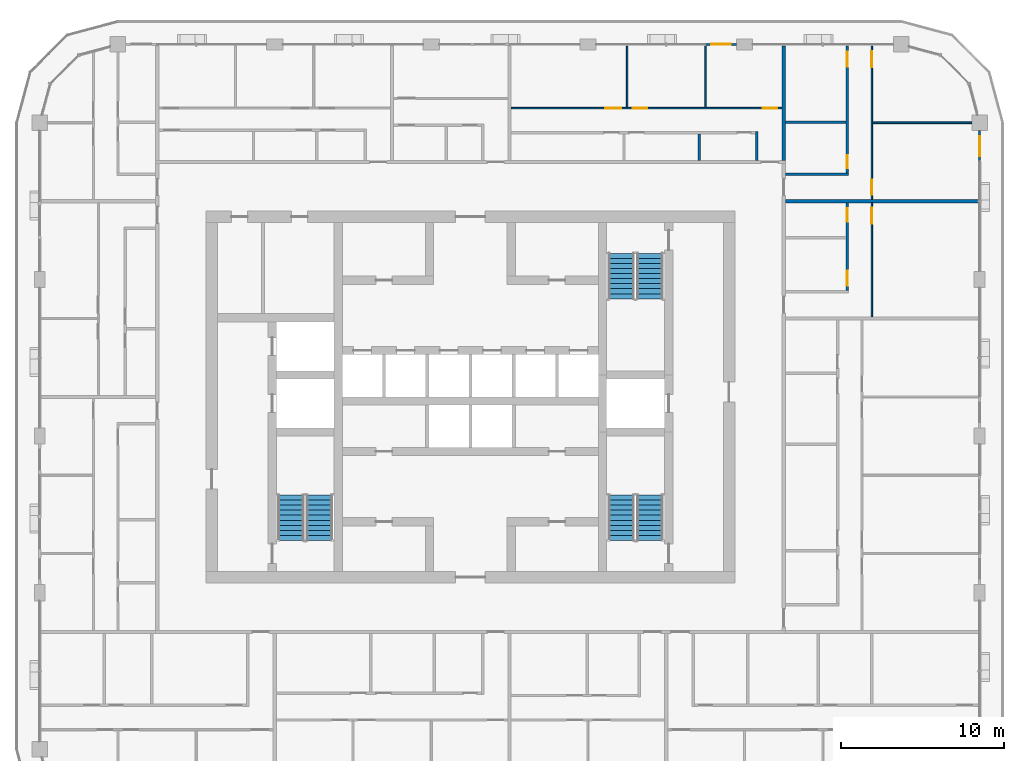
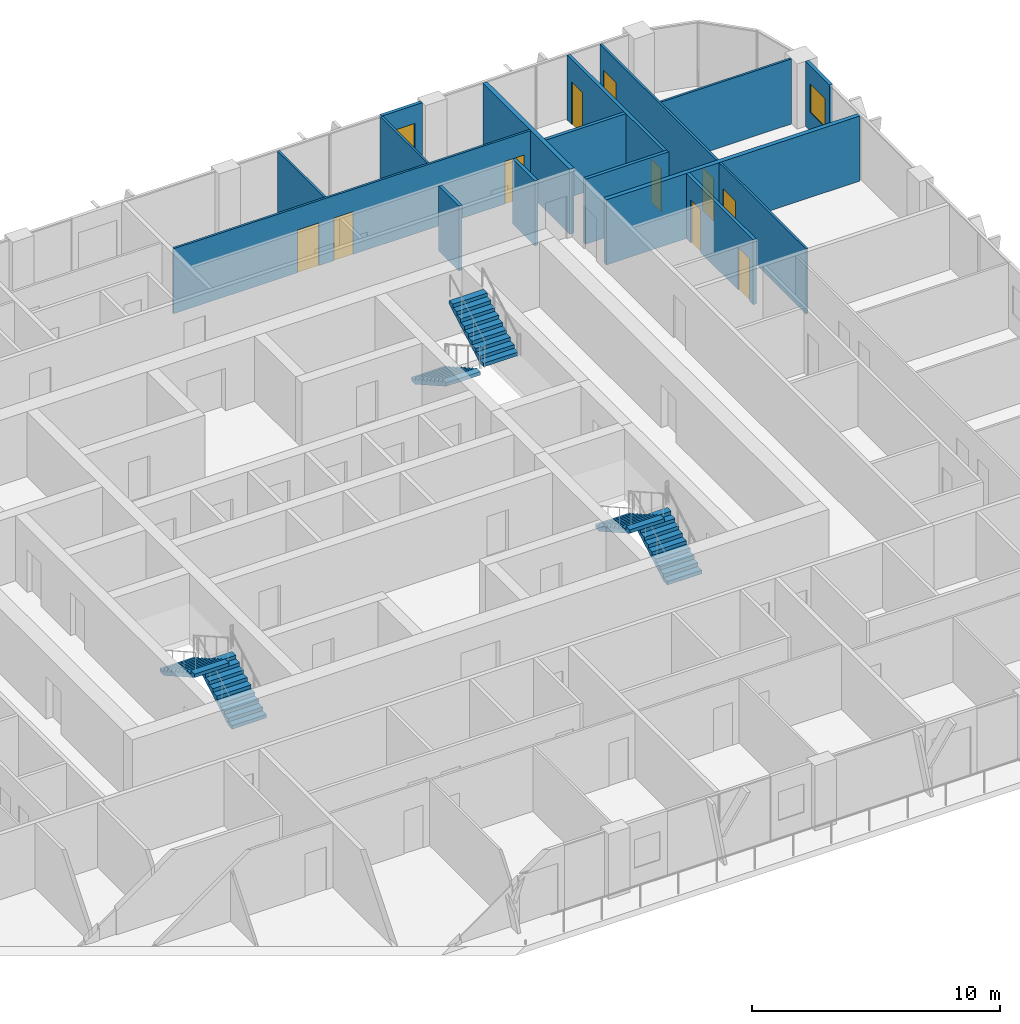
# One storey, part 15 of 21: 16 walls, 10 doors, 6 stair flights, 2 windows, 12 openings, 3 elements without a shape of their own.
"""IFC4 building model written with IfcOpenShell, lengths in metres."""

from ifc_helpers import new_model, si_unit, direction, frame, frame_2d, origin, place, context, subcontext, project, spatial, polyline, rectangle, outline, extrude, material, layer, layer_set, type_object, element, fill, aggregate, save


model = new_model("IFC4")

# Units and contexts
model_context = context("Model", 3, precision=1e-05, world=origin(), true_north=direction((0.0, 1.0)))
body_context = subcontext(model_context, "Body", "Model", "MODEL_VIEW")
ifc_project = project(units=[si_unit("LENGTHUNIT", "METRE"), si_unit("AREAUNIT", "SQUARE_METRE"), si_unit("VOLUMEUNIT", "CUBIC_METRE"), si_unit("PLANEANGLEUNIT", "RADIAN"), si_unit("MASSUNIT", "GRAM", prefix="KILO")], contexts=[model_context])

# Site, building, storey
site_placement = place(None, origin())
site = spatial("IfcSite", under=ifc_project, at=site_placement, CompositionType="ELEMENT")
building_placement = place(site_placement, origin())
building = spatial("IfcBuilding", under=site, at=building_placement, Name="Madar Terraces", CompositionType="ELEMENT")
storey_placement = place(building_placement, frame((0.0, 0.0, 185.89990234375)))
storey = spatial("IfcBuildingStorey", under=building, at=storey_placement, Name="L48", CompositionType="ELEMENT", Elevation=185.89990234375)

# Wall, opening, window
ifc_material_1 = material(Name="Aluminium composite panel, black, over insulated backing", Category="aluminium")
ifc_layer_1 = layer(ifc_material_1, 0.14990234375)
ifc_layer_set_1 = layer_set([ifc_layer_1], Name="Facade bay panel 150")
wall_type_1 = type_object("IfcWallType", Name="Facade bay panel 150", PredefinedType="SOLIDWALL", material=ifc_layer_set_1)
wall_1_placement = place(storey_placement, frame((62.39990234375, 40.800048828125, 0.0), z_axis=(0.0, 0.0, 1.0), x_axis=(0.0, 1.0, 0.0)))
wall_1 = element("IfcWall", 1, at=wall_1_placement, inside=storey, type_object=wall_type_1, Name="Facade bay panel", PredefinedType="SOLIDWALL", context=body_context, shape_type="SweptSolid", body=[
    extrude(rectangle(XDim=1.925048828125, YDim=0.14990234375, at=frame_2d((0.96240234375, 0.0))), origin(), (0.0, 0.0, 1.0), 3.2001953125),
])
opening_1_placement = place(wall_1_placement, frame((0.362548828125, 0.0, 0.89990234375)))
opening_1 = element("IfcOpeningElement", 2, at=opening_1_placement, cuts=wall_1, Name="Opening W1", PredefinedType="OPENING", context=body_context, shape_type="SweptSolid", body=[
    extrude(rectangle(XDim=1.199951171875, YDim=1.39990234375, at=frame_2d((0.60009765625, 0.699951171875))), frame((0.0, 0.0849609375, 0.0), z_axis=(0.0, -1.0, 0.0), x_axis=(1.0, 0.0, 0.0)), (0.0, 0.0, 1.0), 0.169921875),
])
ifc_material_2 = material(Name="Glass, clear, with black aluminium frame", Category="aluminium")
window_type = type_object("IfcWindowType", Name="Vent window 1200 x 1400", PartitioningType="SINGLE_PANEL", PredefinedType="WINDOW", material=ifc_material_2)
window_1_placement = place(opening_1_placement, origin())
window_1 = element("IfcWindow", 3, at=window_1_placement, inside=storey, type_object=window_type, Name="Operable vent window", OverallHeight=1.39990234375, OverallWidth=1.199951171875, PartitioningType="SINGLE_PANEL", PredefinedType="WINDOW", context=body_context, shape_type="SweptSolid", body=[
    extrude(rectangle(XDim=1.199951171875, YDim=1.39990234375, at=frame_2d((0.60009765625, 0.699951171875))), frame((0.0, 0.030029296875, 0.0), z_axis=(0.0, -1.0, 0.0), x_axis=(1.0, 0.0, 0.0)), (0.0, 0.0, 1.0), 0.06005859375),
])
fill(opening_1, window_1)

wall_2_placement = place(storey_placement, frame((47.5, 48.0, 0.0), z_axis=(0.0, 0.0, 1.0), x_axis=(-1.0, 0.0, 0.0)))
wall_2 = element("IfcWall", 4, at=wall_2_placement, inside=storey, type_object=wall_type_1, Name="Facade bay panel", PredefinedType="SOLIDWALL", context=body_context, shape_type="SweptSolid", body=[
    extrude(rectangle(XDim=1.89990234375, YDim=0.14990234375, at=frame_2d((0.949951171875, 0.0))), origin(), (0.0, 0.0, 1.0), 3.2001953125),
])
opening_2_placement = place(wall_2_placement, frame((0.35009765625, 0.0, 0.89990234375)))
opening_2 = element("IfcOpeningElement", 5, at=opening_2_placement, cuts=wall_2, Name="Opening W1", PredefinedType="OPENING", context=body_context, shape_type="SweptSolid", body=[
    extrude(rectangle(XDim=1.199951171875, YDim=1.39990234375, at=frame_2d((0.60009765625, 0.699951171875))), frame((0.0, 0.0849609375, 0.0), z_axis=(0.0, -1.0, 0.0), x_axis=(1.0, 0.0, 0.0)), (0.0, 0.0, 1.0), 0.169921875),
])
window_2_placement = place(opening_2_placement, origin())
window_2 = element("IfcWindow", 6, at=window_2_placement, inside=storey, type_object=window_type, Name="Operable vent window", OverallHeight=1.39990234375, OverallWidth=1.199951171875, PartitioningType="SINGLE_PANEL", PredefinedType="WINDOW", context=body_context, shape_type="SweptSolid", body=[
    extrude(rectangle(XDim=1.199951171875, YDim=1.39990234375, at=frame_2d((0.60009765625, 0.699951171875))), frame((0.0, 0.030029296875, 0.0), z_axis=(0.0, -1.0, 0.0), x_axis=(1.0, 0.0, 0.0)), (0.0, 0.0, 1.0), 0.06005859375),
])
fill(opening_2, window_2)

# Wall, opening, door
ifc_material_3 = material(Name="Gypsum board on steel studs", Category="steel")
ifc_layer_2 = layer(ifc_material_3, 0.10009765625)
ifc_layer_set_2 = layer_set([ifc_layer_2], Name="Flat partition 100")
wall_type_2 = type_object("IfcWallType", Name="Flat partition 100", PredefinedType="PARTITIONING", material=ifc_layer_set_2)
wall_3_placement = place(storey_placement, frame((55.800048828125, 38.300048828125, 0.0), z_axis=(0.0, 0.0, 1.0), x_axis=(0.0, -1.0, 0.0)))
wall_3 = element("IfcWall", 7, at=wall_3_placement, inside=storey, type_object=wall_type_2, Name="Flat partition 100", PredefinedType="PARTITIONING", context=body_context, shape_type="SweptSolid", body=[
    extrude(rectangle(XDim=7.0, YDim=0.10009765625, at=frame_2d((3.5, 0.0))), origin(), (0.0, 0.0, 1.0), 3.2001953125),
])
opening_3_placement = place(wall_3_placement, frame((0.300048828125, 0.0, 0.0)))
opening_3 = element("IfcOpeningElement", 8, at=opening_3_placement, cuts=wall_3, Name="Opening D3", PredefinedType="OPENING", context=body_context, shape_type="SweptSolid", body=[
    extrude(rectangle(XDim=1.0, YDim=2.10009765625, at=frame_2d((0.5, 1.050048828125))), frame((0.0, 0.06005859375, 0.0), z_axis=(0.0, -1.0, 0.0), x_axis=(1.0, 0.0, 0.0)), (0.0, 0.0, 1.0), 0.1201171875),
])
ifc_material_4 = material(Name="Timber door leaf", Category="wood")
door_type_1 = type_object("IfcDoorType", Name="Flat living room door 1000", OperationType="NOTDEFINED", PredefinedType="DOOR", material=ifc_material_4)
door_1_placement = place(opening_3_placement, origin())
door_1 = element("IfcDoor", 9, at=door_1_placement, inside=storey, type_object=door_type_1, Name="Flat living room door 1000", OperationType="SINGLE_SWING_LEFT", OverallHeight=2.10009765625, OverallWidth=1.0, PredefinedType="DOOR", context=body_context, shape_type="SweptSolid", body=[
    extrude(rectangle(XDim=1.0, YDim=2.10009765625, at=frame_2d((0.5, 1.050048828125))), frame((0.0, 0.02490234375, 0.0), z_axis=(0.0, -1.0, 0.0), x_axis=(1.0, 0.0, 0.0)), (0.0, 0.0, 1.0), 0.050048828125),
])
fill(opening_3, door_1)

# Wall
wall_4_placement = place(storey_placement, frame((55.85009765625, 43.199951171875, 0.0), z_axis=(0.0, 0.0, 1.0), x_axis=(1.0, 0.0, 0.0)))
element("IfcWall", 10, at=wall_4_placement, inside=storey, type_object=wall_type_2, Name="Flat partition 100", PredefinedType="PARTITIONING", context=body_context, shape_type="SweptSolid", body=[
    extrude(rectangle(XDim=6.074951171875, YDim=0.10009765625, at=frame_2d((3.03759765625, 0.0))), origin(), (0.0, 0.0, 1.0), 3.2001953125),
])

# Wall, openings, doors
wall_5_placement = place(storey_placement, frame((55.800048828125, 47.89990234375, 0.0), z_axis=(0.0, 0.0, 1.0), x_axis=(0.0, -1.0, 0.0)))
wall_5 = element("IfcWall", 11, at=wall_5_placement, inside=storey, type_object=wall_type_2, Name="Flat partition 100", PredefinedType="PARTITIONING", context=body_context, shape_type="SweptSolid", body=[
    extrude(rectangle(XDim=9.39990234375, YDim=0.10009765625, at=frame_2d((4.699951171875, 0.0))), origin(), (0.0, 0.0, 1.0), 3.2001953125),
])
opening_4_placement = place(wall_5_placement, frame((8.199951171875, 0.0, 0.0)))
opening_4 = element("IfcOpeningElement", 12, at=opening_4_placement, cuts=wall_5, Name="Opening D2", PredefinedType="OPENING", context=body_context, shape_type="SweptSolid", body=[
    extrude(rectangle(XDim=0.89990234375, YDim=2.10009765625, at=frame_2d((0.449951171875, 1.050048828125))), frame((0.0, 0.06005859375, 0.0), z_axis=(0.0, -1.0, 0.0), x_axis=(1.0, 0.0, 0.0)), (0.0, 0.0, 1.0), 0.1201171875),
])
opening_5_placement = place(wall_5_placement, frame((0.300048828125, 0.0, 0.0)))
opening_5 = element("IfcOpeningElement", 13, at=opening_5_placement, cuts=wall_5, Name="Opening D3", PredefinedType="OPENING", context=body_context, shape_type="SweptSolid", body=[
    extrude(rectangle(XDim=1.0, YDim=2.10009765625, at=frame_2d((0.5, 1.050048828125))), frame((0.0, 0.06005859375, 0.0), z_axis=(0.0, -1.0, 0.0), x_axis=(1.0, 0.0, 0.0)), (0.0, 0.0, 1.0), 0.1201171875),
])
door_2_placement = place(opening_5_placement, origin())
door_2 = element("IfcDoor", 14, at=door_2_placement, inside=storey, type_object=door_type_1, Name="Flat living room door 1000", OperationType="SINGLE_SWING_LEFT", OverallHeight=2.10009765625, OverallWidth=1.0, PredefinedType="DOOR", context=body_context, shape_type="SweptSolid", body=[
    extrude(rectangle(XDim=1.0, YDim=2.10009765625, at=frame_2d((0.5, 1.050048828125))), frame((0.0, 0.02490234375, 0.0), z_axis=(0.0, -1.0, 0.0), x_axis=(1.0, 0.0, 0.0)), (0.0, 0.0, 1.0), 0.050048828125),
])
fill(opening_5, door_2)
ifc_material_5 = material(Name="Timber door leaf", Category="wood")
door_type_2 = type_object("IfcDoorType", Name="Flat room door 900", OperationType="NOTDEFINED", PredefinedType="DOOR", material=ifc_material_5)
door_3_placement = place(opening_4_placement, origin())
door_3 = element("IfcDoor", 15, at=door_3_placement, inside=storey, type_object=door_type_2, Name="Flat room door 900", OperationType="SINGLE_SWING_RIGHT", OverallHeight=2.10009765625, OverallWidth=0.89990234375, PredefinedType="DOOR", context=body_context, shape_type="SweptSolid", body=[
    extrude(rectangle(XDim=0.89990234375, YDim=2.10009765625, at=frame_2d((0.449951171875, 1.050048828125))), frame((0.0, 0.02490234375, 0.0), z_axis=(0.0, -1.0, 0.0), x_axis=(1.0, 0.0, 0.0)), (0.0, 0.0, 1.0), 0.050048828125),
])
fill(opening_4, door_3)

# Walls
for number, where, z_axis, x_axis, name in (
    (16, (45.60009765625, 44.14990234375, 0.0), (0.0, 0.0, 1.0), (0.0, 1.0, 0.0), "Flat partition 100"),
    (17, (40.800048828125, 44.14990234375, 0.0), (0.0, 0.0, 1.0), (0.0, 1.0, 0.0), "Flat partition 100"),
):
    element("IfcWall", number, at=place(storey_placement, frame(where, z_axis=z_axis, x_axis=x_axis)), inside=storey, type_object=wall_type_2, Name=name, PredefinedType="PARTITIONING", context=body_context, shape_type="SweptSolid", body=[
        extrude(rectangle(XDim=3.75, YDim=0.10009765625, at=frame_2d((1.875, 0.0))), origin(), (0.0, 0.0, 1.0), 3.2001953125),
    ])

# Wall, openings, doors
wall_6_placement = place(storey_placement, frame((33.699951171875, 44.10009765625, 0.0), z_axis=(0.0, 0.0, 1.0), x_axis=(1.0, 0.0, 0.0)))
wall_6 = element("IfcWall", 18, at=wall_6_placement, inside=storey, type_object=wall_type_2, Name="Flat partition 100", PredefinedType="PARTITIONING", context=body_context, shape_type="SweptSolid", body=[
    extrude(rectangle(XDim=16.60009765625, YDim=0.10009765625, at=frame_2d((8.300048828125, 0.0))), origin(), (0.0, 0.0, 1.0), 3.2001953125),
])
opening_6_placement = place(wall_6_placement, frame((15.39990234375, 0.0, 0.0)))
opening_6 = element("IfcOpeningElement", 19, at=opening_6_placement, cuts=wall_6, Name="Opening D2", PredefinedType="OPENING", context=body_context, shape_type="SweptSolid", body=[
    extrude(rectangle(XDim=0.89990234375, YDim=2.10009765625, at=frame_2d((0.449951171875, 1.050048828125))), frame((0.0, 0.06005859375, 0.0), z_axis=(0.0, -1.0, 0.0), x_axis=(1.0, 0.0, 0.0)), (0.0, 0.0, 1.0), 0.1201171875),
])
opening_7_placement = place(wall_6_placement, frame((7.449951171875, 0.0, 0.0)))
opening_7 = element("IfcOpeningElement", 20, at=opening_7_placement, cuts=wall_6, Name="Opening D2", PredefinedType="OPENING", context=body_context, shape_type="SweptSolid", body=[
    extrude(rectangle(XDim=0.89990234375, YDim=2.10009765625, at=frame_2d((0.449951171875, 1.050048828125))), frame((0.0, 0.06005859375, 0.0), z_axis=(0.0, -1.0, 0.0), x_axis=(1.0, 0.0, 0.0)), (0.0, 0.0, 1.0), 0.1201171875),
])
opening_8_placement = place(wall_6_placement, frame((5.75, 0.0, 0.0)))
opening_8 = element("IfcOpeningElement", 21, at=opening_8_placement, cuts=wall_6, Name="Opening D3", PredefinedType="OPENING", context=body_context, shape_type="SweptSolid", body=[
    extrude(rectangle(XDim=1.0, YDim=2.10009765625, at=frame_2d((0.5, 1.050048828125))), frame((0.0, 0.06005859375, 0.0), z_axis=(0.0, -1.0, 0.0), x_axis=(1.0, 0.0, 0.0)), (0.0, 0.0, 1.0), 0.1201171875),
])
door_4_placement = place(opening_8_placement, origin())
door_4 = element("IfcDoor", 22, at=door_4_placement, inside=storey, type_object=door_type_1, Name="Flat living room door 1000", OperationType="SINGLE_SWING_RIGHT", OverallHeight=2.10009765625, OverallWidth=1.0, PredefinedType="DOOR", context=body_context, shape_type="SweptSolid", body=[
    extrude(rectangle(XDim=1.0, YDim=2.10009765625, at=frame_2d((0.5, 1.050048828125))), frame((0.0, 0.02490234375, 0.0), z_axis=(0.0, -1.0, 0.0), x_axis=(1.0, 0.0, 0.0)), (0.0, 0.0, 1.0), 0.050048828125),
])
fill(opening_8, door_4)
door_5_placement = place(opening_6_placement, origin())
door_5 = element("IfcDoor", 23, at=door_5_placement, inside=storey, type_object=door_type_2, Name="Flat room door 900", OperationType="SINGLE_SWING_RIGHT", OverallHeight=2.10009765625, OverallWidth=0.89990234375, PredefinedType="DOOR", context=body_context, shape_type="SweptSolid", body=[
    extrude(rectangle(XDim=0.89990234375, YDim=2.10009765625, at=frame_2d((0.449951171875, 1.050048828125))), frame((0.0, 0.02490234375, 0.0), z_axis=(0.0, -1.0, 0.0), x_axis=(1.0, 0.0, 0.0)), (0.0, 0.0, 1.0), 0.050048828125),
])
fill(opening_6, door_5)
door_6_placement = place(opening_7_placement, origin())
door_6 = element("IfcDoor", 24, at=door_6_placement, inside=storey, type_object=door_type_2, Name="Flat room door 900", OperationType="SINGLE_SWING_LEFT", OverallHeight=2.10009765625, OverallWidth=0.89990234375, PredefinedType="DOOR", context=body_context, shape_type="SweptSolid", body=[
    extrude(rectangle(XDim=0.89990234375, YDim=2.10009765625, at=frame_2d((0.449951171875, 1.050048828125))), frame((0.0, 0.02490234375, 0.0), z_axis=(0.0, -1.0, 0.0), x_axis=(1.0, 0.0, 0.0)), (0.0, 0.0, 1.0), 0.050048828125),
])
fill(opening_7, door_6)

# Walls
ifc_material_6 = material(Name="Lightweight blockwork", Category="masonry")
ifc_layer_3 = layer(ifc_material_6, 0.199951171875)
ifc_layer_set_3 = layer_set([ifc_layer_3], Name="Flat party and entrance wall 200")
wall_type_3 = type_object("IfcWallType", Name="Flat party and entrance wall 200", PredefinedType="PARTITIONING", material=ifc_layer_set_3)
wall_7_placement = place(storey_placement, frame((50.5, 38.39990234375, 0.0), z_axis=(0.0, 0.0, 1.0), x_axis=(1.0, 0.0, 0.0)))
element("IfcWall", 25, at=wall_7_placement, inside=storey, type_object=wall_type_3, Name="Flat party and entrance wall 200", PredefinedType="PARTITIONING", context=body_context, shape_type="SweptSolid", body=[
    extrude(rectangle(XDim=11.800048828125, YDim=0.199951171875, at=frame_2d((5.89990234375, 0.0))), origin(), (0.0, 0.0, 1.0), 3.2001953125),
])
wall_8_placement = place(storey_placement, frame((50.39990234375, 40.89990234375, 0.0), z_axis=(0.0, 0.0, 1.0), x_axis=(0.0, 1.0, 0.0)))
element("IfcWall", 26, at=wall_8_placement, inside=storey, type_object=wall_type_3, Name="Flat party and entrance wall 200", PredefinedType="PARTITIONING", context=body_context, shape_type="SweptSolid", body=[
    extrude(rectangle(XDim=7.0, YDim=0.199951171875, at=frame_2d((3.5, 0.0))), origin(), (0.0, 0.0, 1.0), 3.2001953125),
])

# Wall, openings, doors
ifc_material_7 = material(Name="Lightweight blockwork", Category="masonry")
ifc_layer_4 = layer(ifc_material_7, 0.14990234375)
ifc_layer_set_4 = layer_set([ifc_layer_4], Name="Flat wet-room partition 150")
wall_type_4 = type_object("IfcWallType", Name="Flat wet-room partition 150", PredefinedType="PARTITIONING", material=ifc_layer_set_4)
wall_9_placement = place(storey_placement, frame((54.300048828125, 32.925048828125, 0.0), z_axis=(0.0, 0.0, 1.0), x_axis=(0.0, 1.0, 0.0)))
wall_9 = element("IfcWall", 27, at=wall_9_placement, inside=storey, type_object=wall_type_4, Name="Flat wet-room partition 150", PredefinedType="PARTITIONING", context=body_context, shape_type="SweptSolid", body=[
    extrude(rectangle(XDim=5.375, YDim=0.14990234375, at=frame_2d((2.6875, 0.0))), origin(), (0.0, 0.0, 1.0), 3.2001953125),
])
opening_9_placement = place(wall_9_placement, frame((0.300048828125, 0.0, 0.0)))
opening_9 = element("IfcOpeningElement", 28, at=opening_9_placement, cuts=wall_9, Name="Opening D2", PredefinedType="OPENING", context=body_context, shape_type="SweptSolid", body=[
    extrude(rectangle(XDim=0.89990234375, YDim=2.10009765625, at=frame_2d((0.449951171875, 1.050048828125))), frame((0.0, 0.0849609375, 0.0), z_axis=(0.0, -1.0, 0.0), x_axis=(1.0, 0.0, 0.0)), (0.0, 0.0, 1.0), 0.169921875),
])
opening_10_placement = place(wall_9_placement, frame((4.22509765625, 0.0, 0.0)))
opening_10 = element("IfcOpeningElement", 29, at=opening_10_placement, cuts=wall_9, Name="Opening D4", PredefinedType="OPENING", context=body_context, shape_type="SweptSolid", body=[
    extrude(rectangle(XDim=0.800048828125, YDim=2.10009765625, at=frame_2d((0.39990234375, 1.050048828125))), frame((0.0, 0.0849609375, 0.0), z_axis=(0.0, -1.0, 0.0), x_axis=(1.0, 0.0, 0.0)), (0.0, 0.0, 1.0), 0.169921875),
])
ifc_material_8 = material(Name="Timber door leaf", Category="wood")
door_type_3 = type_object("IfcDoorType", Name="Flat bathroom door 800", OperationType="NOTDEFINED", PredefinedType="DOOR", material=ifc_material_8)
door_7_placement = place(opening_10_placement, origin())
door_7 = element("IfcDoor", 30, at=door_7_placement, inside=storey, type_object=door_type_3, Name="Flat bathroom door 800", OperationType="SINGLE_SWING_RIGHT", OverallHeight=2.10009765625, OverallWidth=0.800048828125, PredefinedType="DOOR", context=body_context, shape_type="SweptSolid", body=[
    extrude(rectangle(XDim=0.800048828125, YDim=2.10009765625, at=frame_2d((0.39990234375, 1.050048828125))), frame((0.0, 0.02490234375, 0.0), z_axis=(0.0, -1.0, 0.0), x_axis=(1.0, 0.0, 0.0)), (0.0, 0.0, 1.0), 0.050048828125),
])
fill(opening_10, door_7)
door_8_placement = place(opening_9_placement, origin())
door_8 = element("IfcDoor", 31, at=door_8_placement, inside=storey, type_object=door_type_2, Name="Flat room door 900", OperationType="SINGLE_SWING_LEFT", OverallHeight=2.10009765625, OverallWidth=0.89990234375, PredefinedType="DOOR", context=body_context, shape_type="SweptSolid", body=[
    extrude(rectangle(XDim=0.89990234375, YDim=2.10009765625, at=frame_2d((0.449951171875, 1.050048828125))), frame((0.0, 0.02490234375, 0.0), z_axis=(0.0, -1.0, 0.0), x_axis=(1.0, 0.0, 0.0)), (0.0, 0.0, 1.0), 0.050048828125),
])
fill(opening_9, door_8)

# Walls
wall_10_placement = place(storey_placement, frame((50.5, 43.235107421875, 0.0), z_axis=(0.0, 0.0, 1.0), x_axis=(1.0, 0.0, 0.0)))
element("IfcWall", 32, at=wall_10_placement, inside=storey, type_object=wall_type_4, Name="Flat wet-room partition 150", PredefinedType="PARTITIONING", context=body_context, shape_type="SweptSolid", body=[
    extrude(rectangle(XDim=3.72509765625, YDim=0.14990234375, at=frame_2d((1.862548828125, 0.0))), origin(), (0.0, 0.0, 1.0), 3.2001953125),
])
wall_11_placement = place(storey_placement, frame((50.5, 40.050048828125, 0.0), z_axis=(0.0, 0.0, 1.0), x_axis=(1.0, 0.0, 0.0)))
element("IfcWall", 33, at=wall_11_placement, inside=storey, type_object=wall_type_4, Name="Flat wet-room partition 150", PredefinedType="PARTITIONING", context=body_context, shape_type="SweptSolid", body=[
    extrude(rectangle(XDim=3.875, YDim=0.14990234375, at=frame_2d((1.9375, 0.0))), origin(), (0.0, 0.0, 1.0), 3.2001953125),
])

# Wall, openings, doors
wall_12_placement = place(storey_placement, frame((54.300048828125, 40.125, 0.0), z_axis=(0.0, 0.0, 1.0), x_axis=(0.0, 1.0, 0.0)))
wall_12 = element("IfcWall", 34, at=wall_12_placement, inside=storey, type_object=wall_type_4, Name="Flat wet-room partition 150", PredefinedType="PARTITIONING", context=body_context, shape_type="SweptSolid", body=[
    extrude(rectangle(XDim=7.77490234375, YDim=0.14990234375, at=frame_2d((3.887451171875, 0.0))), origin(), (0.0, 0.0, 1.0), 3.2001953125),
])
opening_11_placement = place(wall_12_placement, frame((0.300048828125, 0.0, 0.0)))
opening_11 = element("IfcOpeningElement", 35, at=opening_11_placement, cuts=wall_12, Name="Opening D4", PredefinedType="OPENING", context=body_context, shape_type="SweptSolid", body=[
    extrude(rectangle(XDim=0.800048828125, YDim=2.10009765625, at=frame_2d((0.39990234375, 1.050048828125))), frame((0.0, 0.0849609375, 0.0), z_axis=(0.0, -1.0, 0.0), x_axis=(1.0, 0.0, 0.0)), (0.0, 0.0, 1.0), 0.169921875),
])
opening_12_placement = place(wall_12_placement, frame((6.52490234375, 0.0, 0.0)))
opening_12 = element("IfcOpeningElement", 36, at=opening_12_placement, cuts=wall_12, Name="Opening D2", PredefinedType="OPENING", context=body_context, shape_type="SweptSolid", body=[
    extrude(rectangle(XDim=0.89990234375, YDim=2.10009765625, at=frame_2d((0.449951171875, 1.050048828125))), frame((0.0, 0.0849609375, 0.0), z_axis=(0.0, -1.0, 0.0), x_axis=(1.0, 0.0, 0.0)), (0.0, 0.0, 1.0), 0.169921875),
])
door_9_placement = place(opening_11_placement, origin())
door_9 = element("IfcDoor", 37, at=door_9_placement, inside=storey, type_object=door_type_3, Name="Flat bathroom door 800", OperationType="SINGLE_SWING_LEFT", OverallHeight=2.10009765625, OverallWidth=0.800048828125, PredefinedType="DOOR", context=body_context, shape_type="SweptSolid", body=[
    extrude(rectangle(XDim=0.800048828125, YDim=2.10009765625, at=frame_2d((0.39990234375, 1.050048828125))), frame((0.0, 0.02490234375, 0.0), z_axis=(0.0, -1.0, 0.0), x_axis=(1.0, 0.0, 0.0)), (0.0, 0.0, 1.0), 0.050048828125),
])
fill(opening_11, door_9)
door_10_placement = place(opening_12_placement, origin())
door_10 = element("IfcDoor", 38, at=door_10_placement, inside=storey, type_object=door_type_2, Name="Flat room door 900", OperationType="SINGLE_SWING_RIGHT", OverallHeight=2.10009765625, OverallWidth=0.89990234375, PredefinedType="DOOR", context=body_context, shape_type="SweptSolid", body=[
    extrude(rectangle(XDim=0.89990234375, YDim=2.10009765625, at=frame_2d((0.449951171875, 1.050048828125))), frame((0.0, 0.02490234375, 0.0), z_axis=(0.0, -1.0, 0.0), x_axis=(1.0, 0.0, 0.0)), (0.0, 0.0, 1.0), 0.050048828125),
])
fill(opening_12, door_10)

# Walls
wall_13_placement = place(storey_placement, frame((45.21923828125, 40.89990234375, 0.0), z_axis=(0.0, 0.0, 1.0), x_axis=(0.0, 1.0, 0.0)))
element("IfcWall", 39, at=wall_13_placement, inside=storey, type_object=wall_type_4, Name="Flat wet-room partition 150", PredefinedType="PARTITIONING", context=body_context, shape_type="SweptSolid", body=[
    extrude(rectangle(XDim=1.625, YDim=0.14990234375, at=frame_2d((0.8125, 0.0))), origin(), (0.0, 0.0, 1.0), 3.2001953125),
])
wall_14_placement = place(storey_placement, frame((48.75, 40.89990234375, 0.0), z_axis=(0.0, 0.0, 1.0), x_axis=(0.0, 1.0, 0.0)))
element("IfcWall", 40, at=wall_14_placement, inside=storey, type_object=wall_type_4, Name="Flat wet-room partition 150", PredefinedType="PARTITIONING", context=body_context, shape_type="SweptSolid", body=[
    extrude(rectangle(XDim=1.775146484375, YDim=0.14990234375, at=frame_2d((0.8876953125, 0.0))), origin(), (0.0, 0.0, 1.0), 3.2001953125),
])

# Stair, stair flights
ifc_material_9 = material(Name="Concrete C50/60", Category="concrete")
stair_type_1 = type_object("IfcStairType", Name="Stair ST1 protected exit", PredefinedType="HALF_TURN_STAIR", material=ifc_material_9)
stair_1_placement = place(storey_placement, origin())
stair_1 = element("IfcStair", 41, at=stair_1_placement, inside=storey, type_object=stair_type_1, Name="L48 Protected Exit Stair ST1", PredefinedType="HALF_TURN_STAIR")
ifc_material_10 = material(Name="Concrete C50/60", Category="concrete")
stair_flight_type_1 = type_object("IfcStairFlightType", Name="Stair flight ST1-F4, 1600 wide, 10 risers", PredefinedType="STRAIGHT", material=ifc_material_10)
stair_flight_1_placement = place(storey_placement, frame((21.949951171875, 17.60009765625, 0.0), z_axis=(0.0, 0.0, 1.0), x_axis=(0.0, 1.0, 0.0)))
stair_flight_1 = element("IfcStairFlight", 42, at=stair_flight_1_placement, type_object=stair_flight_type_1, Name="ST1 flight 1", NumberOfRisers=10, NumberOfTreads=9, PredefinedType="STRAIGHT", RiserHeight=0.175, TreadLength=0.31, context=body_context, shape_type="SweptSolid", body=[
    extrude(outline(polyline([(0.0, 0.0), (0.0, 0.175048828125), (0.31005859375, 0.175048828125), (0.31005859375, 0.35009765625), (0.6201171875, 0.35009765625), (0.6201171875, 0.52490234375), (0.929931640625, 0.52490234375), (0.929931640625, 0.699951171875), (1.239990234375, 0.699951171875), (1.239990234375, 0.875), (1.550048828125, 0.875), (1.550048828125, 1.050048828125), (1.860107421875, 1.050048828125), (1.860107421875, 1.22509765625), (2.169921875, 1.22509765625), (2.169921875, 1.39990234375), (2.47998046875, 1.39990234375), (2.47998046875, 1.574951171875), (2.7900390625, 1.574951171875), (2.7900390625, 1.75), (2.7900390625, 1.40283203125), (0.304931640625, 0.0), (0.0, 0.0)])), frame((0.0, 0.800048828125, 0.0), z_axis=(0.0, -1.0, 0.0), x_axis=(1.0, 0.0, 0.0)), (0.0, 0.0, 1.0), 1.60009765625),
])
stair_flight_2_placement = place(storey_placement, frame((20.199951171875, 20.389892578125, 1.75), z_axis=(0.0, 0.0, 1.0), x_axis=(0.0, -1.0, 0.0)))
stair_flight_2 = element("IfcStairFlight", 43, at=stair_flight_2_placement, type_object=stair_flight_type_1, Name="ST1 flight 2", NumberOfRisers=10, NumberOfTreads=9, PredefinedType="STRAIGHT", RiserHeight=0.175, TreadLength=0.31, context=body_context, shape_type="SweptSolid", body=[
    extrude(outline(polyline([(0.0, 0.0), (0.0, 0.175048828125), (0.31005859375, 0.175048828125), (0.31005859375, 0.35009765625), (0.6201171875, 0.35009765625), (0.6201171875, 0.52490234375), (0.929931640625, 0.52490234375), (0.929931640625, 0.699951171875), (1.239990234375, 0.699951171875), (1.239990234375, 0.875), (1.550048828125, 0.875), (1.550048828125, 1.050048828125), (1.860107421875, 1.050048828125), (1.860107421875, 1.22509765625), (2.169921875, 1.22509765625), (2.169921875, 1.39990234375), (2.47998046875, 1.39990234375), (2.47998046875, 1.574951171875), (2.7900390625, 1.574951171875), (2.7900390625, 1.75), (2.7900390625, 1.40283203125), (0.304931640625, 0.0), (0.0, 0.0)])), frame((0.0, 0.800048828125, 0.0), z_axis=(0.0, -1.0, 0.0), x_axis=(1.0, 0.0, 0.0)), (0.0, 0.0, 1.0), 1.60009765625),
])
aggregate(stair_1, [stair_flight_1, stair_flight_2])

ifc_material_11 = material(Name="Concrete C50/60", Category="concrete")
stair_type_2 = type_object("IfcStairType", Name="Stair ST2 protected exit", PredefinedType="HALF_TURN_STAIR", material=ifc_material_11)
stair_2_placement = place(storey_placement, origin())
stair_2 = element("IfcStair", 44, at=stair_2_placement, inside=storey, type_object=stair_type_2, Name="L48 Protected Exit Stair ST2", PredefinedType="HALF_TURN_STAIR")
ifc_material_12 = material(Name="Concrete C50/60", Category="concrete")
stair_flight_type_2 = type_object("IfcStairFlightType", Name="Stair flight ST2-F4, 1600 wide, 10 risers", PredefinedType="STRAIGHT", material=ifc_material_12)
stair_flight_3_placement = place(storey_placement, frame((40.449951171875, 35.199951171875, 0.0), z_axis=(0.0, 0.0, 1.0), x_axis=(0.0, -1.0, 0.0)))
stair_flight_3 = element("IfcStairFlight", 45, at=stair_flight_3_placement, type_object=stair_flight_type_2, Name="ST2 flight 1", NumberOfRisers=10, NumberOfTreads=9, PredefinedType="STRAIGHT", RiserHeight=0.175, TreadLength=0.31, context=body_context, shape_type="SweptSolid", body=[
    extrude(outline(polyline([(0.0, 0.0), (0.0, 0.175048828125), (0.31005859375, 0.175048828125), (0.31005859375, 0.35009765625), (0.6201171875, 0.35009765625), (0.6201171875, 0.52490234375), (0.929931640625, 0.52490234375), (0.929931640625, 0.699951171875), (1.239990234375, 0.699951171875), (1.239990234375, 0.875), (1.550048828125, 0.875), (1.550048828125, 1.050048828125), (1.860107421875, 1.050048828125), (1.860107421875, 1.22509765625), (2.169921875, 1.22509765625), (2.169921875, 1.39990234375), (2.47998046875, 1.39990234375), (2.47998046875, 1.574951171875), (2.7900390625, 1.574951171875), (2.7900390625, 1.75), (2.7900390625, 1.40283203125), (0.304931640625, 0.0), (0.0, 0.0)])), frame((0.0, 0.800048828125, 0.0), z_axis=(0.0, -1.0, 0.0), x_axis=(1.0, 0.0, 0.0)), (0.0, 0.0, 1.0), 1.60009765625),
])
stair_flight_4_placement = place(storey_placement, frame((42.199951171875, 32.409912109375, 1.75), z_axis=(0.0, 0.0, 1.0), x_axis=(0.0, 1.0, 0.0)))
stair_flight_4 = element("IfcStairFlight", 46, at=stair_flight_4_placement, type_object=stair_flight_type_2, Name="ST2 flight 2", NumberOfRisers=10, NumberOfTreads=9, PredefinedType="STRAIGHT", RiserHeight=0.175, TreadLength=0.31, context=body_context, shape_type="SweptSolid", body=[
    extrude(outline(polyline([(0.0, 0.0), (0.0, 0.175048828125), (0.31005859375, 0.175048828125), (0.31005859375, 0.35009765625), (0.6201171875, 0.35009765625), (0.6201171875, 0.52490234375), (0.929931640625, 0.52490234375), (0.929931640625, 0.699951171875), (1.239990234375, 0.699951171875), (1.239990234375, 0.875), (1.550048828125, 0.875), (1.550048828125, 1.050048828125), (1.860107421875, 1.050048828125), (1.860107421875, 1.22509765625), (2.169921875, 1.22509765625), (2.169921875, 1.39990234375), (2.47998046875, 1.39990234375), (2.47998046875, 1.574951171875), (2.7900390625, 1.574951171875), (2.7900390625, 1.75), (2.7900390625, 1.40283203125), (0.304931640625, 0.0), (0.0, 0.0)])), frame((0.0, 0.800048828125, 0.0), z_axis=(0.0, -1.0, 0.0), x_axis=(1.0, 0.0, 0.0)), (0.0, 0.0, 1.0), 1.60009765625),
])
aggregate(stair_2, [stair_flight_3, stair_flight_4])

ifc_material_13 = material(Name="Concrete C50/60", Category="concrete")
stair_type_3 = type_object("IfcStairType", Name="Stair ST3 protected exit", PredefinedType="HALF_TURN_STAIR", material=ifc_material_13)
stair_3_placement = place(storey_placement, origin())
stair_3 = element("IfcStair", 47, at=stair_3_placement, inside=storey, type_object=stair_type_3, Name="L48 Protected Exit Stair ST3", PredefinedType="HALF_TURN_STAIR")
ifc_material_14 = material(Name="Concrete C50/60", Category="concrete")
stair_flight_type_3 = type_object("IfcStairFlightType", Name="Stair flight ST3-F4, 1600 wide, 10 risers", PredefinedType="STRAIGHT", material=ifc_material_14)
stair_flight_5_placement = place(storey_placement, frame((42.199951171875, 17.60009765625, 0.0), z_axis=(0.0, 0.0, 1.0), x_axis=(0.0, 1.0, 0.0)))
stair_flight_5 = element("IfcStairFlight", 48, at=stair_flight_5_placement, type_object=stair_flight_type_3, Name="ST3 flight 1", NumberOfRisers=10, NumberOfTreads=9, PredefinedType="STRAIGHT", RiserHeight=0.175, TreadLength=0.31, context=body_context, shape_type="SweptSolid", body=[
    extrude(outline(polyline([(0.0, 0.0), (0.0, 0.175048828125), (0.31005859375, 0.175048828125), (0.31005859375, 0.35009765625), (0.6201171875, 0.35009765625), (0.6201171875, 0.52490234375), (0.929931640625, 0.52490234375), (0.929931640625, 0.699951171875), (1.239990234375, 0.699951171875), (1.239990234375, 0.875), (1.550048828125, 0.875), (1.550048828125, 1.050048828125), (1.860107421875, 1.050048828125), (1.860107421875, 1.22509765625), (2.169921875, 1.22509765625), (2.169921875, 1.39990234375), (2.47998046875, 1.39990234375), (2.47998046875, 1.574951171875), (2.7900390625, 1.574951171875), (2.7900390625, 1.75), (2.7900390625, 1.40283203125), (0.304931640625, 0.0), (0.0, 0.0)])), frame((0.0, 0.800048828125, 0.0), z_axis=(0.0, -1.0, 0.0), x_axis=(1.0, 0.0, 0.0)), (0.0, 0.0, 1.0), 1.60009765625),
])
stair_flight_6_placement = place(storey_placement, frame((40.449951171875, 20.389892578125, 1.75), z_axis=(0.0, 0.0, 1.0), x_axis=(0.0, -1.0, 0.0)))
stair_flight_6 = element("IfcStairFlight", 49, at=stair_flight_6_placement, type_object=stair_flight_type_3, Name="ST3 flight 2", NumberOfRisers=10, NumberOfTreads=9, PredefinedType="STRAIGHT", RiserHeight=0.175, TreadLength=0.31, context=body_context, shape_type="SweptSolid", body=[
    extrude(outline(polyline([(0.0, 0.0), (0.0, 0.175048828125), (0.31005859375, 0.175048828125), (0.31005859375, 0.35009765625), (0.6201171875, 0.35009765625), (0.6201171875, 0.52490234375), (0.929931640625, 0.52490234375), (0.929931640625, 0.699951171875), (1.239990234375, 0.699951171875), (1.239990234375, 0.875), (1.550048828125, 0.875), (1.550048828125, 1.050048828125), (1.860107421875, 1.050048828125), (1.860107421875, 1.22509765625), (2.169921875, 1.22509765625), (2.169921875, 1.39990234375), (2.47998046875, 1.39990234375), (2.47998046875, 1.574951171875), (2.7900390625, 1.574951171875), (2.7900390625, 1.75), (2.7900390625, 1.40283203125), (0.304931640625, 0.0), (0.0, 0.0)])), frame((0.0, 0.800048828125, 0.0), z_axis=(0.0, -1.0, 0.0), x_axis=(1.0, 0.0, 0.0)), (0.0, 0.0, 1.0), 1.60009765625),
])
aggregate(stair_3, [stair_flight_5, stair_flight_6])

save(model, "model.ifc")
